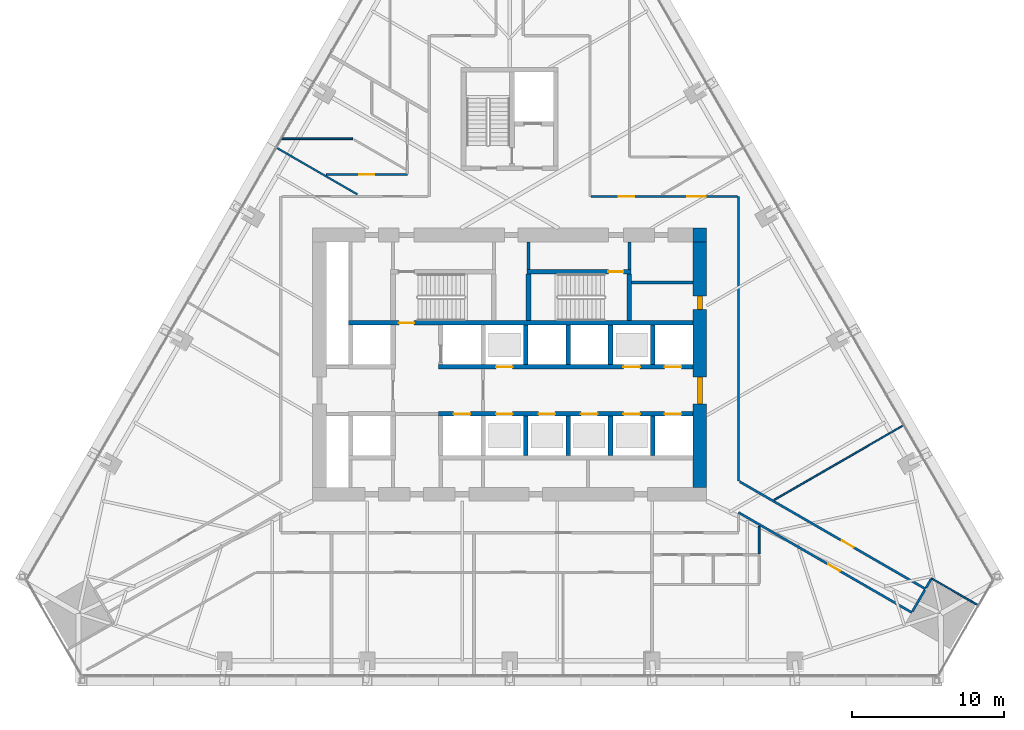
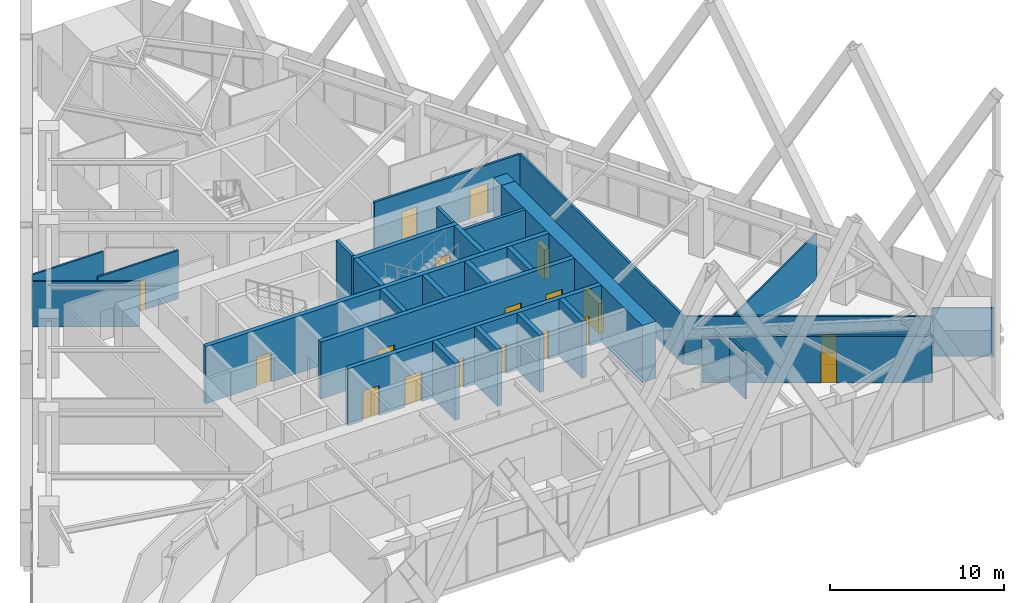
# One storey, part 17 of 21: 31 walls, 18 doors, 18 openings.
"""IFC4 building model written with IfcOpenShell, lengths in metres."""

from ifc_helpers import new_model, si_unit, direction, frame, frame_2d, origin, place, context, subcontext, project, spatial, rectangle, extrude, material, layer, layer_set, type_object, element, fill, save


model = new_model("IFC4")

# Units and contexts
model_context = context("Model", 3, precision=1e-05, world=origin(), true_north=direction((0.0, 1.0)))
body_context = subcontext(model_context, "Body", "Model", "MODEL_VIEW")
ifc_project = project(units=[si_unit("LENGTHUNIT", "METRE"), si_unit("AREAUNIT", "SQUARE_METRE"), si_unit("VOLUMEUNIT", "CUBIC_METRE"), si_unit("PLANEANGLEUNIT", "RADIAN"), si_unit("MASSUNIT", "GRAM", prefix="KILO")], contexts=[model_context])

# Site, building, storey
site_placement = place(None, origin())
site = spatial("IfcSite", under=ifc_project, at=site_placement, CompositionType="ELEMENT")
building_placement = place(site_placement, origin())
building = spatial("IfcBuilding", under=site, at=building_placement, Name="Firuza Gate Tower and Library", CompositionType="ELEMENT")
storey_placement = place(building_placement, frame((0.0, 0.0, 90.39990234375)))
storey = spatial("IfcBuildingStorey", under=building, at=storey_placement, Name="L20", CompositionType="ELEMENT", Elevation=90.39990234375)

# Walls
ifc_material_1 = material(Name="Plasterboard on steel studs", Category="steel")
ifc_layer_1 = layer(ifc_material_1, 0.199951171875)
ifc_layer_set_1 = layer_set([ifc_layer_1], Name="Core partition 200 EI 120")
wall_type_1 = type_object("IfcWallType", Name="Core partition 200 EI 120", PredefinedType="PARTITIONING", material=ifc_layer_set_1)
wall_1_placement = place(storey_placement, frame((83.050048828125, 80.425048828125, 0.0), z_axis=(0.0, 0.0, 1.0), x_axis=(1.0, 0.0, 0.0)))
element("IfcWall", 1, at=wall_1_placement, inside=storey, type_object=wall_type_1, Name="Core partition L20 4", PredefinedType="PARTITIONING", context=body_context, shape_type="SweptSolid", body=[
    extrude(rectangle(XDim=4.050048828125, YDim=0.199951171875, at=frame_2d((2.02490234375, 0.0))), origin(), (0.0, 0.0, 1.0), 4.0),
])
ifc_material_2 = material(Name="Plasterboard on steel studs", Category="steel")
ifc_layer_2 = layer(ifc_material_2, 0.199951171875)
ifc_layer_set_2 = layer_set([ifc_layer_2], Name="Core partition 200 EI 60")
wall_type_2 = type_object("IfcWallType", Name="Core partition 200 EI 60", PredefinedType="PARTITIONING", material=ifc_layer_set_2)
for number, where, z_axis, x_axis, name in (
    (2, (76.239990234375, 81.280029296875, 0.0), (0.0, 0.0, 1.0), (0.0, 1.0, 0.0), "Core partition L20 14"),
    (3, (82.89990234375, 81.280029296875, 0.0), (0.0, 0.0, 1.0), (0.0, 1.0, 0.0), "Core partition L20 16"),
):
    element("IfcWall", number, at=place(storey_placement, frame(where, z_axis=z_axis, x_axis=x_axis)), inside=storey, type_object=wall_type_2, Name=name, PredefinedType="PARTITIONING", context=body_context, shape_type="SweptSolid", body=[
        extrude(rectangle(XDim=1.820068359375, YDim=0.199951171875, at=frame_2d((0.91015625, 0.0))), origin(), (0.0, 0.0, 1.0), 4.0),
    ])

# Wall, openings, doors
ifc_material_3 = material(Name="Concrete C80/95", Category="concrete")
ifc_layer_3 = layer(ifc_material_3, 0.300048828125)
ifc_layer_set_3 = layer_set([ifc_layer_3], Name="Core wall 300 C80/95")
wall_type_3 = type_object("IfcWallType", Name="Core wall 300 C80/95", PredefinedType="SHEAR", material=ifc_layer_set_3)
wall_2_placement = place(storey_placement, frame((70.300048828125, 71.75, 0.0), z_axis=(0.0, 0.0, 1.0), x_axis=(1.0, 0.0, 0.0)))
wall_2 = element("IfcWall", 4, at=wall_2_placement, inside=storey, type_object=wall_type_3, Name="Core wall L20 8", PredefinedType="SHEAR", context=body_context, shape_type="SweptSolid", body=[
    extrude(rectangle(XDim=16.800048828125, YDim=0.300048828125, at=frame_2d((8.39990234375, 0.0))), origin(), (0.0, 0.0, 1.0), 4.0),
])
opening_1_placement = place(wall_2_placement, frame((1.0, 0.0, 0.0)))
opening_1 = element("IfcOpeningElement", 5, at=opening_1_placement, cuts=wall_2, Name="Opening LD-FF1-L20", PredefinedType="OPENING", context=body_context, shape_type="SweptSolid", body=[
    extrude(rectangle(XDim=1.10009765625, YDim=2.10009765625, at=frame_2d((0.550048828125, 1.050048828125))), frame((0.0, 0.16015625, 0.0), z_axis=(0.0, -1.0, 0.0), x_axis=(1.0, 0.0, 0.0)), (0.0, 0.0, 1.0), 0.320068359375),
])
opening_2_placement = place(wall_2_placement, frame((3.800048828125, 0.0, 0.0)))
opening_2 = element("IfcOpeningElement", 6, at=opening_2_placement, cuts=wall_2, Name="Opening LD-LR1-L20", PredefinedType="OPENING", context=body_context, shape_type="SweptSolid", body=[
    extrude(rectangle(XDim=1.10009765625, YDim=2.10009765625, at=frame_2d((0.550048828125, 1.050048828125))), frame((0.0, 0.16015625, 0.0), z_axis=(0.0, -1.0, 0.0), x_axis=(1.0, 0.0, 0.0)), (0.0, 0.0, 1.0), 0.320068359375),
])
opening_3_placement = place(wall_2_placement, frame((6.60009765625, 0.0, 0.0)))
opening_3 = element("IfcOpeningElement", 7, at=opening_3_placement, cuts=wall_2, Name="Opening LD-LR2-L20", PredefinedType="OPENING", context=body_context, shape_type="SweptSolid", body=[
    extrude(rectangle(XDim=1.10009765625, YDim=2.10009765625, at=frame_2d((0.550048828125, 1.050048828125))), frame((0.0, 0.16015625, 0.0), z_axis=(0.0, -1.0, 0.0), x_axis=(1.0, 0.0, 0.0)), (0.0, 0.0, 1.0), 0.320068359375),
])
opening_4_placement = place(wall_2_placement, frame((9.39990234375, 0.0, 0.0)))
opening_4 = element("IfcOpeningElement", 8, at=opening_4_placement, cuts=wall_2, Name="Opening LD-LR3-L20", PredefinedType="OPENING", context=body_context, shape_type="SweptSolid", body=[
    extrude(rectangle(XDim=1.10009765625, YDim=2.10009765625, at=frame_2d((0.550048828125, 1.050048828125))), frame((0.0, 0.16015625, 0.0), z_axis=(0.0, -1.0, 0.0), x_axis=(1.0, 0.0, 0.0)), (0.0, 0.0, 1.0), 0.320068359375),
])
opening_5_placement = place(wall_2_placement, frame((12.199951171875, 0.0, 0.0)))
opening_5 = element("IfcOpeningElement", 9, at=opening_5_placement, cuts=wall_2, Name="Opening LD-LR5-L20", PredefinedType="OPENING", context=body_context, shape_type="SweptSolid", body=[
    extrude(rectangle(XDim=1.10009765625, YDim=2.10009765625, at=frame_2d((0.550048828125, 1.050048828125))), frame((0.0, 0.16015625, 0.0), z_axis=(0.0, -1.0, 0.0), x_axis=(1.0, 0.0, 0.0)), (0.0, 0.0, 1.0), 0.320068359375),
])
opening_6_placement = place(wall_2_placement, frame((14.925048828125, 0.0, 0.0)))
opening_6 = element("IfcOpeningElement", 10, at=opening_6_placement, cuts=wall_2, Name="Opening LD-LR7-L20", PredefinedType="OPENING", context=body_context, shape_type="SweptSolid", body=[
    extrude(rectangle(XDim=1.10009765625, YDim=2.10009765625, at=frame_2d((0.550048828125, 1.050048828125))), frame((0.0, 0.16015625, 0.0), z_axis=(0.0, -1.0, 0.0), x_axis=(1.0, 0.0, 0.0)), (0.0, 0.0, 1.0), 0.320068359375),
])
ifc_material_4 = material(Name="Stainless steel", Category="steel")
door_type_1 = type_object("IfcDoorType", Name="Lift landing door 1100x2100", OperationType="DOUBLE_DOOR_SLIDING", PredefinedType="DOOR", material=ifc_material_4)
door_1_placement = place(opening_1_placement, origin())
door_1 = element("IfcDoor", 11, at=door_1_placement, inside=storey, type_object=door_type_1, Name="Landing door FF1 L20", OperationType="DOUBLE_DOOR_SLIDING", OverallHeight=2.10009765625, OverallWidth=1.10009765625, PredefinedType="DOOR", context=body_context, shape_type="SweptSolid", body=[
    extrude(rectangle(XDim=1.10009765625, YDim=2.10009765625, at=frame_2d((0.550048828125, 1.050048828125))), frame((0.0, 0.02490234375, 0.0), z_axis=(0.0, -1.0, 0.0), x_axis=(1.0, 0.0, 0.0)), (0.0, 0.0, 1.0), 0.050048828125),
])
fill(opening_1, door_1)
door_2_placement = place(opening_2_placement, origin())
door_2 = element("IfcDoor", 12, at=door_2_placement, inside=storey, type_object=door_type_1, Name="Landing door LR1 L20", OperationType="DOUBLE_DOOR_SLIDING", OverallHeight=2.10009765625, OverallWidth=1.10009765625, PredefinedType="DOOR", context=body_context, shape_type="SweptSolid", body=[
    extrude(rectangle(XDim=1.10009765625, YDim=2.10009765625, at=frame_2d((0.550048828125, 1.050048828125))), frame((0.0, 0.02490234375, 0.0), z_axis=(0.0, -1.0, 0.0), x_axis=(1.0, 0.0, 0.0)), (0.0, 0.0, 1.0), 0.050048828125),
])
fill(opening_2, door_2)
door_3_placement = place(opening_3_placement, origin())
door_3 = element("IfcDoor", 13, at=door_3_placement, inside=storey, type_object=door_type_1, Name="Landing door LR2 L20", OperationType="DOUBLE_DOOR_SLIDING", OverallHeight=2.10009765625, OverallWidth=1.10009765625, PredefinedType="DOOR", context=body_context, shape_type="SweptSolid", body=[
    extrude(rectangle(XDim=1.10009765625, YDim=2.10009765625, at=frame_2d((0.550048828125, 1.050048828125))), frame((0.0, 0.02490234375, 0.0), z_axis=(0.0, -1.0, 0.0), x_axis=(1.0, 0.0, 0.0)), (0.0, 0.0, 1.0), 0.050048828125),
])
fill(opening_3, door_3)
door_4_placement = place(opening_4_placement, origin())
door_4 = element("IfcDoor", 14, at=door_4_placement, inside=storey, type_object=door_type_1, Name="Landing door LR3 L20", OperationType="DOUBLE_DOOR_SLIDING", OverallHeight=2.10009765625, OverallWidth=1.10009765625, PredefinedType="DOOR", context=body_context, shape_type="SweptSolid", body=[
    extrude(rectangle(XDim=1.10009765625, YDim=2.10009765625, at=frame_2d((0.550048828125, 1.050048828125))), frame((0.0, 0.02490234375, 0.0), z_axis=(0.0, -1.0, 0.0), x_axis=(1.0, 0.0, 0.0)), (0.0, 0.0, 1.0), 0.050048828125),
])
fill(opening_4, door_4)
door_5_placement = place(opening_5_placement, origin())
door_5 = element("IfcDoor", 15, at=door_5_placement, inside=storey, type_object=door_type_1, Name="Landing door LR5 L20", OperationType="DOUBLE_DOOR_SLIDING", OverallHeight=2.10009765625, OverallWidth=1.10009765625, PredefinedType="DOOR", context=body_context, shape_type="SweptSolid", body=[
    extrude(rectangle(XDim=1.10009765625, YDim=2.10009765625, at=frame_2d((0.550048828125, 1.050048828125))), frame((0.0, 0.02490234375, 0.0), z_axis=(0.0, -1.0, 0.0), x_axis=(1.0, 0.0, 0.0)), (0.0, 0.0, 1.0), 0.050048828125),
])
fill(opening_5, door_5)
door_6_placement = place(opening_6_placement, origin())
door_6 = element("IfcDoor", 16, at=door_6_placement, inside=storey, type_object=door_type_1, Name="Landing door LR7 L20", OperationType="DOUBLE_DOOR_SLIDING", OverallHeight=2.10009765625, OverallWidth=1.10009765625, PredefinedType="DOOR", context=body_context, shape_type="SweptSolid", body=[
    extrude(rectangle(XDim=1.10009765625, YDim=2.10009765625, at=frame_2d((0.550048828125, 1.050048828125))), frame((0.0, 0.02490234375, 0.0), z_axis=(0.0, -1.0, 0.0), x_axis=(1.0, 0.0, 0.0)), (0.0, 0.0, 1.0), 0.050048828125),
])
fill(opening_6, door_6)

wall_3_placement = place(storey_placement, frame((70.300048828125, 74.85009765625, 0.0), z_axis=(0.0, 0.0, 1.0), x_axis=(1.0, 0.0, 0.0)))
wall_3 = element("IfcWall", 17, at=wall_3_placement, inside=storey, type_object=wall_type_3, Name="Core wall L20 10", PredefinedType="SHEAR", context=body_context, shape_type="SweptSolid", body=[
    extrude(rectangle(XDim=16.800048828125, YDim=0.300048828125, at=frame_2d((8.39990234375, 0.0))), origin(), (0.0, 0.0, 1.0), 4.0),
])
opening_7_placement = place(wall_3_placement, frame((3.800048828125, 0.0, 0.0)))
opening_7 = element("IfcOpeningElement", 18, at=opening_7_placement, cuts=wall_3, Name="Opening LD-LR4-L20", PredefinedType="OPENING", context=body_context, shape_type="SweptSolid", body=[
    extrude(rectangle(XDim=1.10009765625, YDim=2.10009765625, at=frame_2d((0.550048828125, 1.050048828125))), frame((0.0, 0.16015625, 0.0), z_axis=(0.0, -1.0, 0.0), x_axis=(1.0, 0.0, 0.0)), (0.0, 0.0, 1.0), 0.320068359375),
])
opening_8_placement = place(wall_3_placement, frame((12.199951171875, 0.0, 0.0)))
opening_8 = element("IfcOpeningElement", 19, at=opening_8_placement, cuts=wall_3, Name="Opening LD-LR6-L20", PredefinedType="OPENING", context=body_context, shape_type="SweptSolid", body=[
    extrude(rectangle(XDim=1.10009765625, YDim=2.10009765625, at=frame_2d((0.550048828125, 1.050048828125))), frame((0.0, 0.16015625, 0.0), z_axis=(0.0, -1.0, 0.0), x_axis=(1.0, 0.0, 0.0)), (0.0, 0.0, 1.0), 0.320068359375),
])
opening_9_placement = place(wall_3_placement, frame((14.925048828125, 0.0, 0.0)))
opening_9 = element("IfcOpeningElement", 20, at=opening_9_placement, cuts=wall_3, Name="Opening LD-LR8-L20", PredefinedType="OPENING", context=body_context, shape_type="SweptSolid", body=[
    extrude(rectangle(XDim=1.10009765625, YDim=2.10009765625, at=frame_2d((0.550048828125, 1.050048828125))), frame((0.0, 0.16015625, 0.0), z_axis=(0.0, -1.0, 0.0), x_axis=(1.0, 0.0, 0.0)), (0.0, 0.0, 1.0), 0.320068359375),
])
door_7_placement = place(opening_7_placement, origin())
door_7 = element("IfcDoor", 21, at=door_7_placement, inside=storey, type_object=door_type_1, Name="Landing door LR4 L20", OperationType="DOUBLE_DOOR_SLIDING", OverallHeight=2.10009765625, OverallWidth=1.10009765625, PredefinedType="DOOR", context=body_context, shape_type="SweptSolid", body=[
    extrude(rectangle(XDim=1.10009765625, YDim=2.10009765625, at=frame_2d((0.550048828125, 1.050048828125))), frame((0.0, 0.02490234375, 0.0), z_axis=(0.0, -1.0, 0.0), x_axis=(1.0, 0.0, 0.0)), (0.0, 0.0, 1.0), 0.050048828125),
])
fill(opening_7, door_7)
door_8_placement = place(opening_8_placement, origin())
door_8 = element("IfcDoor", 22, at=door_8_placement, inside=storey, type_object=door_type_1, Name="Landing door LR6 L20", OperationType="DOUBLE_DOOR_SLIDING", OverallHeight=2.10009765625, OverallWidth=1.10009765625, PredefinedType="DOOR", context=body_context, shape_type="SweptSolid", body=[
    extrude(rectangle(XDim=1.10009765625, YDim=2.10009765625, at=frame_2d((0.550048828125, 1.050048828125))), frame((0.0, 0.02490234375, 0.0), z_axis=(0.0, -1.0, 0.0), x_axis=(1.0, 0.0, 0.0)), (0.0, 0.0, 1.0), 0.050048828125),
])
fill(opening_8, door_8)
door_9_placement = place(opening_9_placement, origin())
door_9 = element("IfcDoor", 23, at=door_9_placement, inside=storey, type_object=door_type_1, Name="Landing door LR8 L20", OperationType="DOUBLE_DOOR_SLIDING", OverallHeight=2.10009765625, OverallWidth=1.10009765625, PredefinedType="DOOR", context=body_context, shape_type="SweptSolid", body=[
    extrude(rectangle(XDim=1.10009765625, YDim=2.10009765625, at=frame_2d((0.550048828125, 1.050048828125))), frame((0.0, 0.02490234375, 0.0), z_axis=(0.0, -1.0, 0.0), x_axis=(1.0, 0.0, 0.0)), (0.0, 0.0, 1.0), 0.050048828125),
])
fill(opening_9, door_9)

# Walls
for number, where, z_axis, x_axis, name in (
    (24, (76.050048828125, 69.0, 0.0), (0.0, 0.0, 1.0), (0.0, 1.0, 0.0), "Core wall L20 19"),
    (25, (76.050048828125, 75.0, 0.0), (0.0, 0.0, 1.0), (0.0, 1.0, 0.0), "Core wall L20 20"),
    (26, (78.85009765625, 69.0, 0.0), (0.0, 0.0, 1.0), (0.0, 1.0, 0.0), "Core wall L20 21"),
    (27, (78.85009765625, 75.0, 0.0), (0.0, 0.0, 1.0), (0.0, 1.0, 0.0), "Core wall L20 22"),
    (28, (81.64990234375, 69.0, 0.0), (0.0, 0.0, 1.0), (0.0, 1.0, 0.0), "Core wall L20 23"),
    (29, (81.64990234375, 75.0, 0.0), (0.0, 0.0, 1.0), (0.0, 1.0, 0.0), "Core wall L20 24"),
    (30, (84.449951171875, 69.0, 0.0), (0.0, 0.0, 1.0), (0.0, 1.0, 0.0), "Core wall L20 25"),
    (31, (84.449951171875, 75.0, 0.0), (0.0, 0.0, 1.0), (0.0, 1.0, 0.0), "Core wall L20 26"),
):
    element("IfcWall", number, at=place(storey_placement, frame(where, z_axis=z_axis, x_axis=x_axis)), inside=storey, type_object=wall_type_3, Name=name, PredefinedType="SHEAR", context=body_context, shape_type="SweptSolid", body=[
        extrude(rectangle(XDim=2.60009765625, YDim=0.300048828125, at=frame_2d((1.300048828125, 0.0))), origin(), (0.0, 0.0, 1.0), 4.0),
    ])

# Wall, opening, door
wall_4_placement = place(storey_placement, frame((64.35009765625, 77.75, 0.0), z_axis=(0.0, 0.0, 1.0), x_axis=(1.0, 0.0, 0.0)))
wall_4 = element("IfcWall", 32, at=wall_4_placement, inside=storey, type_object=wall_type_3, Name="Core wall L20 27", PredefinedType="SHEAR", context=body_context, shape_type="SweptSolid", body=[
    extrude(rectangle(XDim=22.75, YDim=0.300048828125, at=frame_2d((11.375, 0.0))), origin(), (0.0, 0.0, 1.0), 4.0),
])
opening_10_placement = place(wall_4_placement, frame((3.344970703125, 0.0, 0.0)))
opening_10 = element("IfcOpeningElement", 33, at=opening_10_placement, cuts=wall_4, Name="Opening L20-K12", PredefinedType="OPENING", context=body_context, shape_type="SweptSolid", body=[
    extrude(rectangle(XDim=1.0, YDim=2.10009765625, at=frame_2d((0.5, 1.050048828125))), frame((0.0, 0.16015625, 0.0), z_axis=(0.0, -1.0, 0.0), x_axis=(1.0, 0.0, 0.0)), (0.0, 0.0, 1.0), 0.320068359375),
])
ifc_material_5 = material(Name="Steel", Category="steel")
door_type_2 = type_object("IfcDoorType", Name="Fire door 1000x2100 FD90", OperationType="NOTDEFINED", PredefinedType="DOOR", material=ifc_material_5)
door_10_placement = place(opening_10_placement, origin())
door_10 = element("IfcDoor", 34, at=door_10_placement, inside=storey, type_object=door_type_2, Name="Door L20-K12", OperationType="SINGLE_SWING_LEFT", OverallHeight=2.10009765625, OverallWidth=1.0, PredefinedType="DOOR", context=body_context, shape_type="SweptSolid", body=[
    extrude(rectangle(XDim=1.0, YDim=2.10009765625, at=frame_2d((0.5, 1.050048828125))), frame((0.0, 0.02490234375, 0.0), z_axis=(0.0, -1.0, 0.0), x_axis=(1.0, 0.0, 0.0)), (0.0, 0.0, 1.0), 0.050048828125),
])
fill(opening_10, door_10)

wall_5_placement = place(storey_placement, frame((76.139892578125, 81.1298828125, 0.0), z_axis=(0.0, 0.0, 1.0), x_axis=(1.0, 0.0, 0.0)))
wall_5 = element("IfcWall", 35, at=wall_5_placement, inside=storey, type_object=wall_type_3, Name="Core wall L20 29", PredefinedType="SHEAR", context=body_context, shape_type="SweptSolid", body=[
    extrude(rectangle(XDim=6.860107421875, YDim=0.300048828125, at=frame_2d((3.43017578125, 0.0))), origin(), (0.0, 0.0, 1.0), 4.0),
])
opening_11_placement = place(wall_5_placement, frame((5.364990234375, 0.0, 0.0)))
opening_11 = element("IfcOpeningElement", 36, at=opening_11_placement, cuts=wall_5, Name="Opening L20-K15", PredefinedType="OPENING", context=body_context, shape_type="SweptSolid", body=[
    extrude(rectangle(XDim=1.0, YDim=2.10009765625, at=frame_2d((0.5, 1.050048828125))), frame((0.0, 0.16015625, 0.0), z_axis=(0.0, -1.0, 0.0), x_axis=(1.0, 0.0, 0.0)), (0.0, 0.0, 1.0), 0.320068359375),
])
door_11_placement = place(opening_11_placement, origin())
door_11 = element("IfcDoor", 37, at=door_11_placement, inside=storey, type_object=door_type_2, Name="Door L20-K15", OperationType="SINGLE_SWING_RIGHT", OverallHeight=2.10009765625, OverallWidth=1.0, PredefinedType="DOOR", context=body_context, shape_type="SweptSolid", body=[
    extrude(rectangle(XDim=1.0, YDim=2.10009765625, at=frame_2d((0.5, 1.050048828125))), frame((0.0, 0.02490234375, 0.0), z_axis=(0.0, -1.0, 0.0), x_axis=(1.0, 0.0, 0.0)), (0.0, 0.0, 1.0), 0.050048828125),
])
fill(opening_11, door_11)

# Walls
for number, where, z_axis, x_axis, name in (
    (38, (76.239990234375, 77.89990234375, 0.0), (0.0, 0.0, 1.0), (0.0, 1.0, 0.0), "Core wall L20 32"),
    (39, (82.89990234375, 77.89990234375, 0.0), (0.0, 0.0, 1.0), (0.0, 1.0, 0.0), "Core wall L20 33"),
):
    element("IfcWall", number, at=place(storey_placement, frame(where, z_axis=z_axis, x_axis=x_axis)), inside=storey, type_object=wall_type_3, Name=name, PredefinedType="SHEAR", context=body_context, shape_type="SweptSolid", body=[
        extrude(rectangle(XDim=3.080078125, YDim=0.300048828125, at=frame_2d((1.5400390625, 0.0))), origin(), (0.0, 0.0, 1.0), 4.0),
    ])

# Wall, openings, doors
ifc_material_6 = material(Name="Concrete C80/95", Category="concrete")
ifc_layer_4 = layer(ifc_material_6, 0.89990234375)
ifc_layer_set_4 = layer_set([ifc_layer_4], Name="Core wall 900 C80/95")
wall_type_4 = type_object("IfcWallType", Name="Core wall 900 C80/95", PredefinedType="SHEAR", material=ifc_layer_set_4)
wall_6_placement = place(storey_placement, frame((87.550048828125, 66.89990234375, 0.0), z_axis=(0.0, 0.0, 1.0), x_axis=(0.0, 1.0, 0.0)))
wall_6 = element("IfcWall", 40, at=wall_6_placement, inside=storey, type_object=wall_type_4, Name="Core wall L20 4", PredefinedType="SHEAR", context=body_context, shape_type="SweptSolid", body=[
    extrude(rectangle(XDim=16.2001953125, YDim=0.89990234375, at=frame_2d((8.10009765625, 0.0))), origin(), (0.0, 0.0, 1.0), 4.0),
])
opening_12_placement = place(wall_6_placement, frame((5.5, 0.0, 0.0)))
opening_12 = element("IfcOpeningElement", 41, at=opening_12_placement, cuts=wall_6, Name="Opening L20-K23", PredefinedType="OPENING", context=body_context, shape_type="SweptSolid", body=[
    extrude(rectangle(XDim=1.800048828125, YDim=2.10009765625, at=frame_2d((0.89990234375, 1.050048828125))), frame((0.0, 0.4599609375, 0.0), z_axis=(0.0, -1.0, 0.0), x_axis=(1.0, 0.0, 0.0)), (0.0, 0.0, 1.0), 0.919921875),
])
opening_13_placement = place(wall_6_placement, frame((11.737548828125, 0.0, 0.0)))
opening_13 = element("IfcOpeningElement", 42, at=opening_13_placement, cuts=wall_6, Name="Opening L20-K31", PredefinedType="OPENING", context=body_context, shape_type="SweptSolid", body=[
    extrude(rectangle(XDim=0.89990234375, YDim=2.10009765625, at=frame_2d((0.449951171875, 1.050048828125))), frame((0.0, 0.4599609375, 0.0), z_axis=(0.0, -1.0, 0.0), x_axis=(1.0, 0.0, 0.0)), (0.0, 0.0, 1.0), 0.919921875),
])
ifc_material_7 = material(Name="Steel", Category="steel")
door_type_3 = type_object("IfcDoorType", Name="Fire door 1800x2100 FD30S", OperationType="NOTDEFINED", PredefinedType="DOOR", material=ifc_material_7)
door_12_placement = place(opening_12_placement, origin())
door_12 = element("IfcDoor", 43, at=door_12_placement, inside=storey, type_object=door_type_3, Name="Door L20-K23", OperationType="SINGLE_SWING_RIGHT", OverallHeight=2.10009765625, OverallWidth=1.800048828125, PredefinedType="DOOR", context=body_context, shape_type="SweptSolid", body=[
    extrude(rectangle(XDim=1.800048828125, YDim=2.10009765625, at=frame_2d((0.89990234375, 1.050048828125))), frame((0.0, 0.169921875, 0.0), z_axis=(0.0, -1.0, 0.0), x_axis=(1.0, 0.0, 0.0)), (0.0, 0.0, 1.0), 0.33984375),
])
fill(opening_12, door_12)
ifc_material_8 = material(Name="Steel", Category="steel")
door_type_4 = type_object("IfcDoorType", Name="Fire door 900x2100 FD30S", OperationType="NOTDEFINED", PredefinedType="DOOR", material=ifc_material_8)
door_13_placement = place(opening_13_placement, origin())
door_13 = element("IfcDoor", 44, at=door_13_placement, inside=storey, type_object=door_type_4, Name="Door L20-K31", OperationType="SINGLE_SWING_RIGHT", OverallHeight=2.10009765625, OverallWidth=0.89990234375, PredefinedType="DOOR", context=body_context, shape_type="SweptSolid", body=[
    extrude(rectangle(XDim=0.89990234375, YDim=2.10009765625, at=frame_2d((0.449951171875, 1.050048828125))), frame((0.0, 0.169921875, 0.0), z_axis=(0.0, -1.0, 0.0), x_axis=(1.0, 0.0, 0.0)), (0.0, 0.0, 1.0), 0.33984375),
])
fill(opening_13, door_13)

# Wall
wall_7_placement = place(storey_placement, frame((87.10009765625, 83.550048828125, 0.0), z_axis=(0.0, 0.0, 1.0), x_axis=(1.0, 0.0, 0.0)))
element("IfcWall", 45, at=wall_7_placement, inside=storey, type_object=wall_type_4, Name="Core wall L20 40", PredefinedType="SHEAR", context=body_context, shape_type="SweptSolid", body=[
    extrude(rectangle(XDim=0.89990234375, YDim=0.89990234375, at=frame_2d((0.449951171875, 0.0))), origin(), (0.0, 0.0, 1.0), 4.0),
])

# Wall, openings, doors
ifc_material_9 = material(Name="Gypsum board partition")
ifc_layer_5 = layer(ifc_material_9, 0.14990234375)
ifc_layer_set_5 = layer_set([ifc_layer_5], Name="Corridor wall 150 double board on steel studs")
wall_type_5 = type_object("IfcWallType", Name="Corridor wall 150 double board on steel studs", PredefinedType="PARTITIONING", material=ifc_layer_set_5)
wall_8_placement = place(storey_placement, frame((90.0244140625, 86.10009765625, 0.0), z_axis=(0.0, 0.0, 1.0), x_axis=(-1.0, 0.0, 0.0)))
wall_8 = element("IfcWall", 46, at=wall_8_placement, inside=storey, type_object=wall_type_5, Name="f:L20:w006", PredefinedType="PARTITIONING", context=body_context, shape_type="SweptSolid", body=[
    extrude(rectangle(XDim=9.6494140625, YDim=0.14990234375, at=frame_2d((4.82470703125, 0.0))), origin(), (0.0, 0.0, 1.0), 3.400146484375),
])
opening_14_placement = place(wall_8_placement, frame((2.1025390625, 0.0, 0.0)))
opening_14 = element("IfcOpeningElement", 47, at=opening_14_placement, cuts=wall_8, Name="Opening L20-14", PredefinedType="OPENING", context=body_context, shape_type="SweptSolid", body=[
    extrude(rectangle(XDim=1.199951171875, YDim=2.10009765625, at=frame_2d((0.60009765625, 1.050048828125))), frame((0.0, 0.0849609375, 0.0), z_axis=(0.0, -1.0, 0.0), x_axis=(1.0, 0.0, 0.0)), (0.0, 0.0, 1.0), 0.169921875),
])
opening_15_placement = place(wall_8_placement, frame((6.82275390625, 0.0, 0.0)))
opening_15 = element("IfcOpeningElement", 48, at=opening_15_placement, cuts=wall_8, Name="Opening L20-15", PredefinedType="OPENING", context=body_context, shape_type="SweptSolid", body=[
    extrude(rectangle(XDim=1.0, YDim=2.10009765625, at=frame_2d((0.5, 1.050048828125))), frame((0.0, 0.0849609375, 0.0), z_axis=(0.0, -1.0, 0.0), x_axis=(1.0, 0.0, 0.0)), (0.0, 0.0, 1.0), 0.169921875),
])
ifc_material_10 = material(Name="Steel door and timber leaf", Category="steel")
door_type_5 = type_object("IfcDoorType", Name="Fire door 1000 x 2100 steel frame, timber leaf", OperationType="NOTDEFINED", PredefinedType="DOOR", material=ifc_material_10)
door_14_placement = place(opening_15_placement, origin())
door_14 = element("IfcDoor", 49, at=door_14_placement, inside=storey, type_object=door_type_5, Name="f:L20:d015", OperationType="SINGLE_SWING_LEFT", OverallHeight=2.10009765625, OverallWidth=1.0, PredefinedType="DOOR", context=body_context, shape_type="SweptSolid", body=[
    extrude(rectangle(XDim=1.0, YDim=2.10009765625, at=frame_2d((0.5, 1.050048828125))), frame((0.0, 0.02490234375, 0.0), z_axis=(0.0, -1.0, 0.0), x_axis=(1.0, 0.0, 0.0)), (0.0, 0.0, 1.0), 0.050048828125),
])
fill(opening_15, door_14)
ifc_material_11 = material(Name="Steel door and timber leaf", Category="steel")
door_type_6 = type_object("IfcDoorType", Name="Fire door 1200 x 2100 steel frame, double leaf", OperationType="NOTDEFINED", PredefinedType="DOOR", material=ifc_material_11)
door_15_placement = place(opening_14_placement, origin())
door_15 = element("IfcDoor", 50, at=door_15_placement, inside=storey, type_object=door_type_6, Name="f:L20:d014", OperationType="DOUBLE_DOOR_SINGLE_SWING", OverallHeight=2.10009765625, OverallWidth=1.199951171875, PredefinedType="DOOR", context=body_context, shape_type="SweptSolid", body=[
    extrude(rectangle(XDim=1.199951171875, YDim=2.10009765625, at=frame_2d((0.60009765625, 1.050048828125))), frame((0.0, 0.02490234375, 0.0), z_axis=(0.0, -1.0, 0.0), x_axis=(1.0, 0.0, 0.0)), (0.0, 0.0, 1.0), 0.050048828125),
])
fill(opening_14, door_15)

# Walls
wall_9_placement = place(storey_placement, frame((101.567138671875, 58.70947265625, 0.0), z_axis=(0.0, 0.0, 1.0), x_axis=(0.499991515992, 0.866030301974, 0.0)))
element("IfcWall", 51, at=wall_9_placement, inside=storey, type_object=wall_type_5, Name="f:L20:w024", PredefinedType="PARTITIONING", context=body_context, shape_type="SweptSolid", body=[
    extrude(rectangle(XDim=1.6494140625, YDim=0.14990234375, at=frame_2d((0.82470703125, 0.0))), origin(), (0.0, 0.0, 1.0), 3.2470703125),
])
wall_10_placement = place(storey_placement, frame((90.10009765625, 67.3212890625, 0.0), z_axis=(0.0, 0.0, 1.0), x_axis=(0.0, 1.0, 0.0)))
element("IfcWall", 52, at=wall_10_placement, inside=storey, type_object=wall_type_5, Name="f:L20:w027", PredefinedType="PARTITIONING", context=body_context, shape_type="SweptSolid", body=[
    extrude(rectangle(XDim=18.7783203125, YDim=0.14990234375, at=frame_2d((9.38916015625, 0.0))), origin(), (0.0, 0.0, 1.0), 3.400146484375),
])

# Wall, opening, door
wall_11_placement = place(storey_placement, frame((90.175048828125, 67.278076171875, 0.0), z_axis=(0.0, 0.0, 1.0), x_axis=(0.866020657332, -0.500008221008, 0.0)))
wall_11 = element("IfcWall", 53, at=wall_11_placement, inside=storey, type_object=wall_type_5, Name="f:L20:w055", PredefinedType="PARTITIONING", context=body_context, shape_type="SweptSolid", body=[
    extrude(rectangle(XDim=14.149658203125, YDim=0.14990234375, at=frame_2d((7.07470703125, 0.0))), origin(), (0.0, 0.0, 1.0), 3.400146484375),
])
opening_16_placement = place(wall_11_placement, frame((7.782470703125, 0.0, 0.0)))
opening_16 = element("IfcOpeningElement", 54, at=opening_16_placement, cuts=wall_11, Name="Opening L20-23", PredefinedType="OPENING", context=body_context, shape_type="SweptSolid", body=[
    extrude(rectangle(XDim=0.89990234375, YDim=2.10009765625, at=frame_2d((0.449951171875, 1.050048828125))), frame((0.0, 0.0849609375, 0.0), z_axis=(0.0, -1.0, 0.0), x_axis=(1.0, 0.0, 0.0)), (0.0, 0.0, 1.0), 0.169921875),
])
ifc_material_12 = material(Name="Steel door and timber leaf", Category="steel")
door_type_7 = type_object("IfcDoorType", Name="Fire door 900 x 2100 steel frame, timber leaf", OperationType="NOTDEFINED", PredefinedType="DOOR", material=ifc_material_12)
door_16_placement = place(opening_16_placement, origin())
door_16 = element("IfcDoor", 55, at=door_16_placement, inside=storey, type_object=door_type_7, Name="f:L20:d023", OperationType="SINGLE_SWING_RIGHT", OverallHeight=2.10009765625, OverallWidth=0.89990234375, PredefinedType="DOOR", context=body_context, shape_type="SweptSolid", body=[
    extrude(rectangle(XDim=0.89990234375, YDim=2.10009765625, at=frame_2d((0.449951171875, 1.050048828125))), frame((0.0, 0.02490234375, 0.0), z_axis=(0.0, -1.0, 0.0), x_axis=(1.0, 0.0, 0.0)), (0.0, 0.0, 1.0), 0.050048828125),
])
fill(opening_16, door_16)

wall_12_placement = place(storey_placement, frame((101.528564453125, 58.64453125, 0.0), z_axis=(0.0, 0.0, 1.0), x_axis=(-0.866020144196, 0.500009109764, 0.0)))
wall_12 = element("IfcWall", 56, at=wall_12_placement, inside=storey, type_object=wall_type_5, Name="f:L20:w056", PredefinedType="PARTITIONING", context=body_context, shape_type="SweptSolid", body=[
    extrude(rectangle(XDim=13.196533203125, YDim=0.14990234375, at=frame_2d((6.59814453125, 0.0))), origin(), (0.0, 0.0, 1.0), 3.2470703125),
])
opening_17_placement = place(wall_12_placement, frame((5.467041015625, 0.0, 0.0)))
opening_17 = element("IfcOpeningElement", 57, at=opening_17_placement, cuts=wall_12, Name="Opening L20-24", PredefinedType="OPENING", context=body_context, shape_type="SweptSolid", body=[
    extrude(rectangle(XDim=0.89990234375, YDim=2.10009765625, at=frame_2d((0.449951171875, 1.050048828125))), frame((0.0, 0.0849609375, 0.0), z_axis=(0.0, -1.0, 0.0), x_axis=(1.0, 0.0, 0.0)), (0.0, 0.0, 1.0), 0.169921875),
])
door_17_placement = place(opening_17_placement, origin())
door_17 = element("IfcDoor", 58, at=door_17_placement, inside=storey, type_object=door_type_7, Name="f:L20:d024", OperationType="SINGLE_SWING_RIGHT", OverallHeight=2.10009765625, OverallWidth=0.89990234375, PredefinedType="DOOR", context=body_context, shape_type="SweptSolid", body=[
    extrude(rectangle(XDim=0.89990234375, YDim=2.10009765625, at=frame_2d((0.449951171875, 1.050048828125))), frame((0.0, 0.02490234375, 0.0), z_axis=(0.0, -1.0, 0.0), x_axis=(1.0, 0.0, 0.0)), (0.0, 0.0, 1.0), 0.050048828125),
])
fill(opening_17, door_17)

# Walls
wall_13_placement = place(storey_placement, frame((102.467041015625, 60.267822265625, 0.0), z_axis=(0.0, 0.0, 1.0), x_axis=(0.499837337514, 0.866119296648, 0.0)))
element("IfcWall", 59, at=wall_13_placement, inside=storey, type_object=wall_type_5, Name="f:L20:w062", PredefinedType="PARTITIONING", context=body_context, shape_type="SweptSolid", body=[
    extrude(rectangle(XDim=0.674560546875, YDim=0.14990234375, at=frame_2d((0.33740234375, 0.0))), origin(), (0.0, 0.0, 1.0), 3.400146484375),
])
ifc_material_13 = material(Name="Gypsum board partition")
ifc_layer_6 = layer(ifc_material_13, 0.10009765625)
ifc_layer_set_6 = layer_set([ifc_layer_6], Name="Partition 100 gypsum board on steel studs")
wall_type_6 = type_object("IfcWallType", Name="Partition 100 gypsum board on steel studs", PredefinedType="PARTITIONING", material=ifc_layer_set_6)
wall_14_placement = place(storey_placement, frame((92.456787109375, 66.0771484375, 0.0), z_axis=(0.0, 0.0, 1.0), x_axis=(0.866029936849, 0.499992148419, 0.0)))
element("IfcWall", 60, at=wall_14_placement, inside=storey, type_object=wall_type_6, Name="f:L20:w015", PredefinedType="PARTITIONING", context=body_context, shape_type="SweptSolid", body=[
    extrude(rectangle(XDim=9.847412109375, YDim=0.10009765625, at=frame_2d((4.923828125, 0.0))), origin(), (0.0, 0.0, 1.0), 3.1650390625),
])
wall_15_placement = place(storey_placement, frame((105.912109375, 59.115966796875, 0.0), z_axis=(0.0, 0.0, 1.0), x_axis=(-0.866014251095, 0.500019316528, 0.0)))
element("IfcWall", 61, at=wall_15_placement, inside=storey, type_object=wall_type_6, Name="f:L20:w054", PredefinedType="PARTITIONING", context=body_context, shape_type="SweptSolid", body=[
    extrude(rectangle(XDim=3.559326171875, YDim=0.10009765625, at=frame_2d((1.77978515625, 0.0))), origin(), (0.0, 0.0, 1.0), 3.400146484375),
])

# Wall, opening, door
ifc_material_14 = material(Name="Gypsum board partition")
ifc_layer_7 = layer(ifc_material_14, 0.1201171875)
ifc_layer_set_7 = layer_set([ifc_layer_7], Name="Wet-area partition 120 moisture-resistant board")
wall_type_7 = type_object("IfcWallType", Name="Wet-area partition 120 moisture-resistant board", PredefinedType="PARTITIONING", material=ifc_layer_set_7)
wall_16_placement = place(storey_placement, frame((62.896240234375, 87.550048828125, 0.0), z_axis=(0.0, 0.0, 1.0), x_axis=(1.0, 0.0, 0.0)))
wall_16 = element("IfcWall", 62, at=wall_16_placement, inside=storey, type_object=wall_type_7, Name="f:L20:w007", PredefinedType="PARTITIONING", context=body_context, shape_type="SweptSolid", body=[
    extrude(rectangle(XDim=5.353759765625, YDim=0.1201171875, at=frame_2d((2.6767578125, 0.0))), origin(), (0.0, 0.0, 1.0), 3.400146484375),
])
opening_18_placement = place(wall_16_placement, frame((2.177001953125, 0.0, 0.0)))
opening_18 = element("IfcOpeningElement", 63, at=opening_18_placement, cuts=wall_16, Name="Opening L20-16", PredefinedType="OPENING", context=body_context, shape_type="SweptSolid", body=[
    extrude(rectangle(XDim=1.0, YDim=2.10009765625, at=frame_2d((0.5, 1.050048828125))), frame((0.0, 0.070068359375, 0.0), z_axis=(0.0, -1.0, 0.0), x_axis=(1.0, 0.0, 0.0)), (0.0, 0.0, 1.0), 0.14013671875),
])
ifc_material_15 = material(Name="Timber door", Category="wood")
door_type_8 = type_object("IfcDoorType", Name="Door 1000 x 2100 timber leaf", OperationType="NOTDEFINED", PredefinedType="DOOR", material=ifc_material_15)
door_18_placement = place(opening_18_placement, origin())
door_18 = element("IfcDoor", 64, at=door_18_placement, inside=storey, type_object=door_type_8, Name="f:L20:d016", OperationType="SINGLE_SWING_RIGHT", OverallHeight=2.10009765625, OverallWidth=1.0, PredefinedType="DOOR", context=body_context, shape_type="SweptSolid", body=[
    extrude(rectangle(XDim=1.0, YDim=2.10009765625, at=frame_2d((0.5, 1.050048828125))), frame((0.0, 0.02490234375, 0.0), z_axis=(0.0, -1.0, 0.0), x_axis=(1.0, 0.0, 0.0)), (0.0, 0.0, 1.0), 0.050048828125),
])
fill(opening_18, door_18)

# Walls
wall_17_placement = place(storey_placement, frame((59.926513671875, 89.89990234375, 0.0), z_axis=(0.0, 0.0, 1.0), x_axis=(1.0, 0.0, 0.0)))
element("IfcWall", 65, at=wall_17_placement, inside=storey, type_object=wall_type_7, Name="f:L20:w009", PredefinedType="PARTITIONING", context=body_context, shape_type="SweptSolid", body=[
    extrude(rectangle(XDim=4.71435546875, YDim=0.1201171875, at=frame_2d((2.357177734375, 0.0))), origin(), (0.0, 0.0, 1.0), 3.1650390625),
])
wall_18_placement = place(storey_placement, frame((64.95263671875, 86.23046875, 0.0), z_axis=(0.0, 0.0, 1.0), x_axis=(-0.866029863972, 0.499992274648, 0.0)))
element("IfcWall", 66, at=wall_18_placement, inside=storey, type_object=wall_type_7, Name="f:L20:w053", PredefinedType="PARTITIONING", context=body_context, shape_type="SweptSolid", body=[
    extrude(rectangle(XDim=6.1875, YDim=0.1201171875, at=frame_2d((3.09375, 0.0))), origin(), (0.0, 0.0, 1.0), 3.1650390625),
])
wall_19_placement = place(storey_placement, frame((91.4560546875, 62.510009765625, 0.0), z_axis=(0.0, 0.0, 1.0), x_axis=(0.0, 1.0, 0.0)))
element("IfcWall", 67, at=wall_19_placement, inside=storey, type_object=wall_type_7, Name="f:L20:w059", PredefinedType="PARTITIONING", context=body_context, shape_type="SweptSolid", body=[
    extrude(rectangle(XDim=1.8232421875, YDim=0.1201171875, at=frame_2d((0.91162109375, 0.0))), origin(), (0.0, 0.0, 1.0), 3.2470703125),
])

save(model, "model.ifc")
